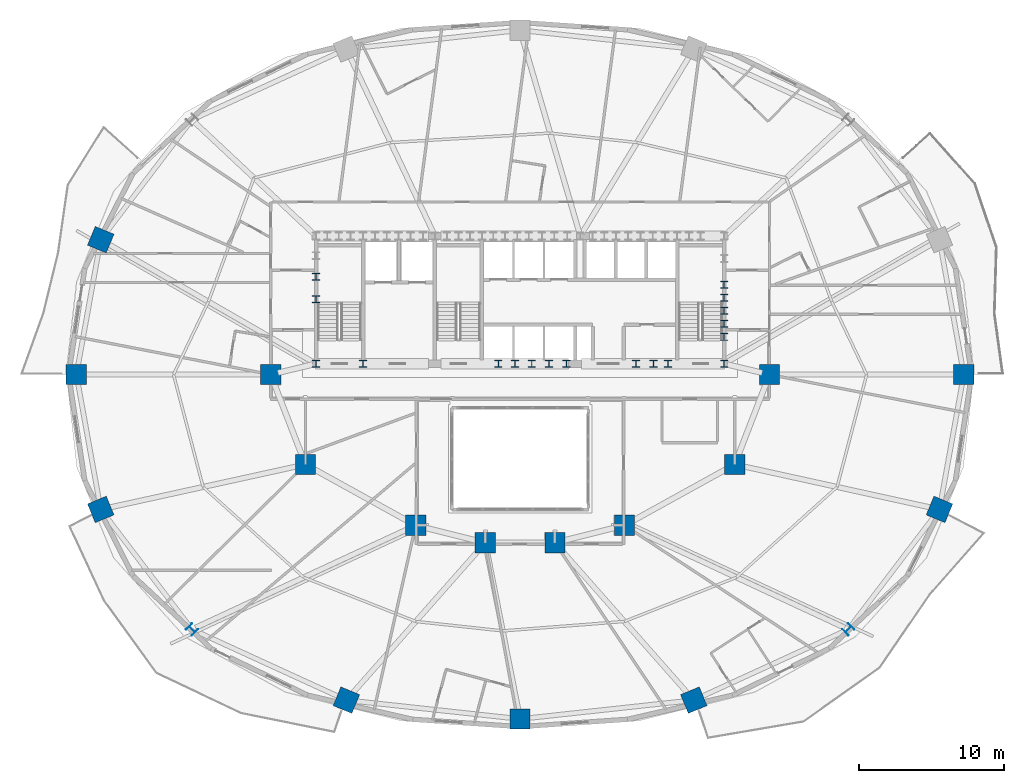
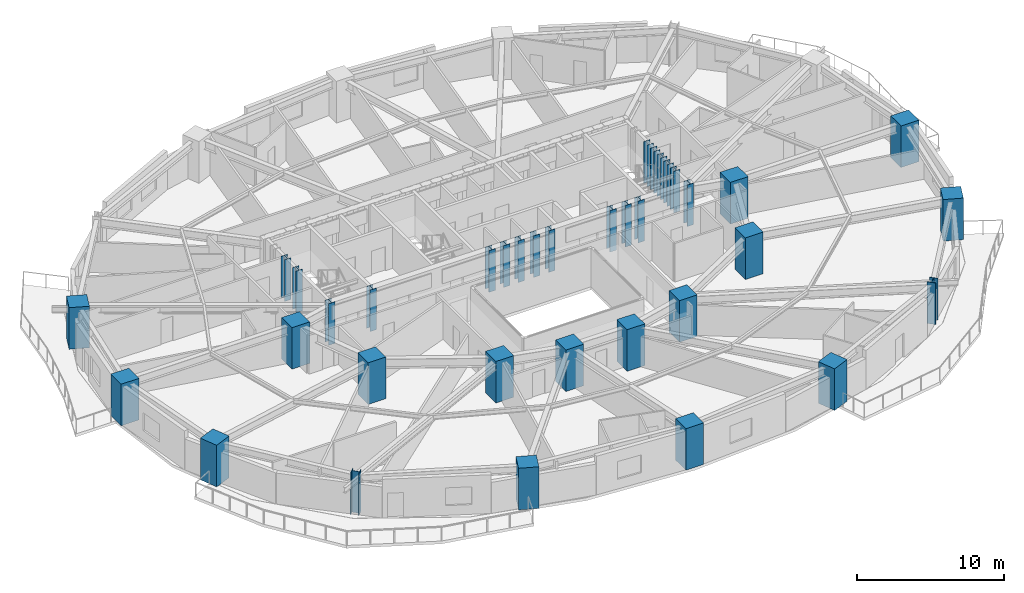
# One storey, part 1 of 17: 36 columns.
"""IFC4 building model written with IfcOpenShell, lengths in metres."""

from ifc_helpers import new_model, si_unit, direction, frame, origin, origin_2d, place, context, subcontext, project, spatial, rectangle, i_section, extrude, material, material_profile, profile_set, type_object, element, save


model = new_model("IFC4")

# Units and contexts
model_context = context("Model", 3, precision=1e-05, world=origin(), true_north=direction((0.0, 1.0)))
body_context = subcontext(model_context, "Body", "Model", "MODEL_VIEW")
ifc_project = project(units=[si_unit("LENGTHUNIT", "METRE"), si_unit("AREAUNIT", "SQUARE_METRE"), si_unit("VOLUMEUNIT", "CUBIC_METRE"), si_unit("PLANEANGLEUNIT", "RADIAN"), si_unit("MASSUNIT", "GRAM", prefix="KILO")], contexts=[model_context])

# Site, building, storey
site_placement = place(None, origin())
site = spatial("IfcSite", under=ifc_project, at=site_placement, CompositionType="ELEMENT")
building_placement = place(site_placement, origin())
building = spatial("IfcBuilding", under=site, at=building_placement, Name="Haldorwick Loom Tower", CompositionType="ELEMENT")
storey_placement = place(building_placement, frame((0.0, 0.0, 51.60009765625)))
storey = spatial("IfcBuildingStorey", under=building, at=storey_placement, Name="L13", CompositionType="ELEMENT", Elevation=51.60009765625)

# Columns
ifc_material_1 = material(Name="Concrete C60 (60 MPa)", Category="concrete")
ifc_material_profile_1 = material_profile(ifc_material_1, rectangle(XDim=1.39990234375, YDim=1.39990234375, at=origin_2d()), Name="RC1400X1400", Category="concrete")
ifc_profile_set_1 = profile_set([ifc_material_profile_1], Name="Concrete C60 (60 MPa)")
column_type_1 = type_object("IfcColumnType", Name="STR-COL-MEGA1400", PredefinedType="COLUMN", material=ifc_profile_set_1)
for number, where, z_axis, x_axis, name in (
    (1, (53.199951171875, 26.0, 0.0), (0.0, 0.0, 1.0), (1.0, 0.0, 0.0), "L13 Inner Column IC-01"),
    (2, (50.800048828125, 19.800048828125, 0.0), (0.0, 0.0, 1.0), (1.0, 0.0, 0.0), "L13 Inner Column IC-02"),
    (3, (43.199951171875, 15.60009765625, 0.0), (0.0, 0.0, 1.0), (1.0, 0.0, 0.0), "L13 Inner Column IC-03"),
    (4, (38.39990234375, 14.39990234375, 0.0), (0.0, 0.0, 1.0), (1.0, 0.0, 0.0), "L13 Inner Column IC-04"),
    (5, (33.60009765625, 14.39990234375, 0.0), (0.0, 0.0, 1.0), (1.0, 0.0, 0.0), "L13 Inner Column IC-05"),
    (6, (28.800048828125, 15.60009765625, 0.0), (0.0, 0.0, 1.0), (1.0, 0.0, 0.0), "L13 Inner Column IC-06"),
    (7, (21.199951171875, 19.800048828125, 0.0), (0.0, 0.0, 1.0), (1.0, 0.0, 0.0), "L13 Inner Column IC-07"),
    (8, (18.800048828125, 26.0, 0.0), (0.0, 0.0, 1.0), (1.0, 0.0, 0.0), "L13 Inner Column IC-08"),
):
    element("IfcColumn", number, at=place(storey_placement, frame(where, z_axis=z_axis, x_axis=x_axis)), inside=storey, type_object=column_type_1, Name=name, PredefinedType="COLUMN", context=body_context, shape_type="SweptSolid", body=[
        extrude(rectangle(XDim=1.39990234375, YDim=1.39990234375, at=origin_2d()), origin(), (0.0, 0.0, 1.0), 3.449951171875),
    ])
ifc_material_profile_2 = material_profile(ifc_material_1, rectangle(XDim=1.39990234375, YDim=1.39990234375, at=origin_2d()), Name="RC1400X1400", Category="concrete")
ifc_profile_set_2 = profile_set([ifc_material_profile_2], Name="Concrete C60 (60 MPa)")
column_type_2 = type_object("IfcColumnType", Name="STR-COL-RC1400", PredefinedType="PILASTER", material=ifc_profile_set_2)
for number, where, z_axis, x_axis, name in (
    (9, (66.595947265625, 26.0, 0.0), (0.0, 0.0, 1.0), (1.0, 0.0, 0.0), "L13 Perimeter Pier Column P01"),
    (10, (7.08251953125, 35.29931640625, 0.0), (0.0, 0.0, 1.0), (-0.923879532511, 0.382683432365, 0.0), "L13 Perimeter Pier Column P08"),
    (11, (5.404052734375, 26.0, 0.0), (0.0, 0.0, 1.0), (-1.0, 0.0, 0.0), "L13 Perimeter Pier Column P09"),
    (12, (7.08251953125, 16.70068359375, 0.0), (0.0, 0.0, 1.0), (-0.923879532511, -0.382683432365, 0.0), "L13 Perimeter Pier Column P10"),
    (13, (24.02197265625, 3.5498046875, 0.0), (0.0, 0.0, 1.0), (-0.382683432365, -0.923879532511, 0.0), "L13 Perimeter Pier Column P12"),
    (14, (36.0, 2.25, 0.0), (0.0, 0.0, 1.0), (0.0, -1.0, 0.0), "L13 Perimeter Pier Column P13"),
    (15, (47.97802734375, 3.5498046875, 0.0), (0.0, 0.0, 1.0), (0.382683432365, -0.923879532511, 0.0), "L13 Perimeter Pier Column P14"),
    (16, (64.91748046875, 16.70068359375, 0.0), (0.0, 0.0, 1.0), (0.923879532511, -0.382683432365, 0.0), "L13 Perimeter Pier Column P16"),
):
    element("IfcColumn", number, at=place(storey_placement, frame(where, z_axis=z_axis, x_axis=x_axis)), inside=storey, type_object=column_type_2, Name=name, PredefinedType="PILASTER", context=body_context, shape_type="SweptSolid", body=[
        extrude(rectangle(XDim=1.39990234375, YDim=1.39990234375, at=origin_2d()), origin(), (0.0, 0.0, 1.0), 3.449951171875),
    ])
ifc_material_2 = material(Name="Steel CSA G40.21 350WT", Category="steel")
ifc_material_profile_3 = material_profile(ifc_material_2, i_section(OverallWidth=0.5, OverallDepth=0.5, WebThickness=0.02197265625, FlangeThickness=0.031982421875, at=origin_2d()), Name="WWF500X500", Category="steel")
ifc_profile_set_3 = profile_set([ifc_material_profile_3], Name="Steel CSA G40.21 350WT")
column_type_3 = type_object("IfcColumnType", Name="STR-COL-WWF500", PredefinedType="COLUMN", material=ifc_profile_set_3)
for number, where, z_axis, x_axis, name in (
    (17, (21.929931640625, 26.75, 0.0), (0.0, 0.0, 1.0), (1.0, 0.0, 0.0), "L13 Core Pilaster CB-19"),
    (18, (25.169921875, 26.75, 0.0), (0.0, 0.0, 1.0), (1.0, 0.0, 0.0), "L13 Core Pilaster CB-20"),
    (19, (34.5, 26.75, 0.0), (0.0, 0.0, 1.0), (1.0, 0.0, 0.0), "L13 Core Pilaster CB-21"),
    (20, (36.800048828125, 26.75, 0.0), (0.0, 0.0, 1.0), (1.0, 0.0, 0.0), "L13 Core Pilaster CB-22"),
    (21, (39.199951171875, 26.75, 0.0), (0.0, 0.0, 1.0), (1.0, 0.0, 0.0), "L13 Core Pilaster CB-23"),
    (22, (45.199951171875, 26.75, 0.0), (0.0, 0.0, 1.0), (1.0, 0.0, 0.0), "L13 Core Pilaster CB-24"),
    (23, (50.070068359375, 26.75, 0.0), (0.0, 0.0, 1.0), (1.0, 0.0, 0.0), "L13 Core Pilaster CB-25"),
    (24, (21.929931640625, 31.199951171875, 0.0), (0.0, 0.0, 1.0), (1.0, 0.0, 0.0), "L13 Core Pilaster CB-26"),
    (25, (21.929931640625, 32.75, 0.0), (0.0, 0.0, 1.0), (1.0, 0.0, 0.0), "L13 Core Pilaster CB-27"),
    (26, (50.070068359375, 28.60009765625, 0.0), (0.0, 0.0, 1.0), (1.0, 0.0, 0.0), "L13 Core Pilaster CB-29"),
    (27, (50.070068359375, 30.39990234375, 0.0), (0.0, 0.0, 1.0), (1.0, 0.0, 0.0), "L13 Core Pilaster CB-30"),
    (28, (50.070068359375, 32.199951171875, 0.0), (0.0, 0.0, 1.0), (1.0, 0.0, 0.0), "L13 Core Pilaster CB-31"),
    (29, (50.070068359375, 29.5, 0.0), (0.0, 0.0, 1.0), (1.0, 0.0, 0.0), "L13 Core Pilaster CB-49"),
    (30, (50.070068359375, 31.300048828125, 0.0), (0.0, 0.0, 1.0), (1.0, 0.0, 0.0), "L13 Core Pilaster CB-50"),
    (31, (35.64990234375, 26.75, 0.0), (0.0, 0.0, 1.0), (1.0, 0.0, 0.0), "L13 Core Pilaster CB-51"),
    (32, (38.0, 26.75, 0.0), (0.0, 0.0, 1.0), (1.0, 0.0, 0.0), "L13 Core Pilaster CB-52"),
    (33, (44.0, 26.75, 0.0), (0.0, 0.0, 1.0), (1.0, 0.0, 0.0), "L13 Core Pilaster CB-53"),
    (34, (46.199951171875, 26.75, 0.0), (0.0, 0.0, 1.0), (1.0, 0.0, 0.0), "L13 Core Pilaster CB-54"),
):
    element("IfcColumn", number, at=place(storey_placement, frame(where, z_axis=z_axis, x_axis=x_axis)), inside=storey, type_object=column_type_3, Name=name, PredefinedType="COLUMN", context=body_context, shape_type="SweptSolid", body=[
        extrude(i_section(OverallWidth=0.5, OverallDepth=0.5, WebThickness=0.02197265625, FlangeThickness=0.031982421875, at=origin_2d()), origin(), (0.0, 0.0, 1.0), 3.449951171875),
    ])
ifc_material_profile_4 = material_profile(ifc_material_2, i_section(OverallWidth=0.60009765625, OverallDepth=0.60009765625, WebThickness=0.02490234375, FlangeThickness=0.035888671875, at=origin_2d()), Name="WWF600X600", Category="steel")
ifc_profile_set_4 = profile_set([ifc_material_profile_4], Name="Steel CSA G40.21 350WT")
column_type_4 = type_object("IfcColumnType", Name="STR-COL-WWF600", PredefinedType="COLUMN", material=ifc_profile_set_4)
for number, where, z_axis, x_axis, name in (
    (35, (13.369873046875, 8.428466796875, 0.0), (0.0, 0.0, 1.0), (-0.707106781187, -0.707106781187, 0.0), "L13 Perimeter Pier Column P11"),
    (36, (58.630126953125, 8.428466796875, 0.0), (0.0, 0.0, 1.0), (0.707106781187, -0.707106781187, 0.0), "L13 Perimeter Pier Column P15"),
):
    element("IfcColumn", number, at=place(storey_placement, frame(where, z_axis=z_axis, x_axis=x_axis)), inside=storey, type_object=column_type_4, Name=name, PredefinedType="COLUMN", context=body_context, shape_type="SweptSolid", body=[
        extrude(i_section(OverallWidth=0.60009765625, OverallDepth=0.60009765625, WebThickness=0.02490234375, FlangeThickness=0.035888671875, at=origin_2d()), origin(), (0.0, 0.0, 1.0), 3.449951171875),
    ])

save(model, "model.ifc")
